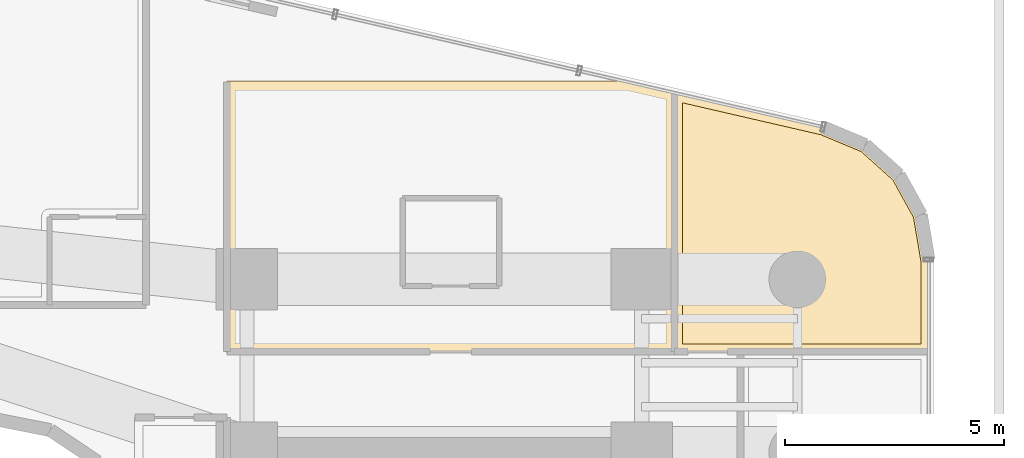
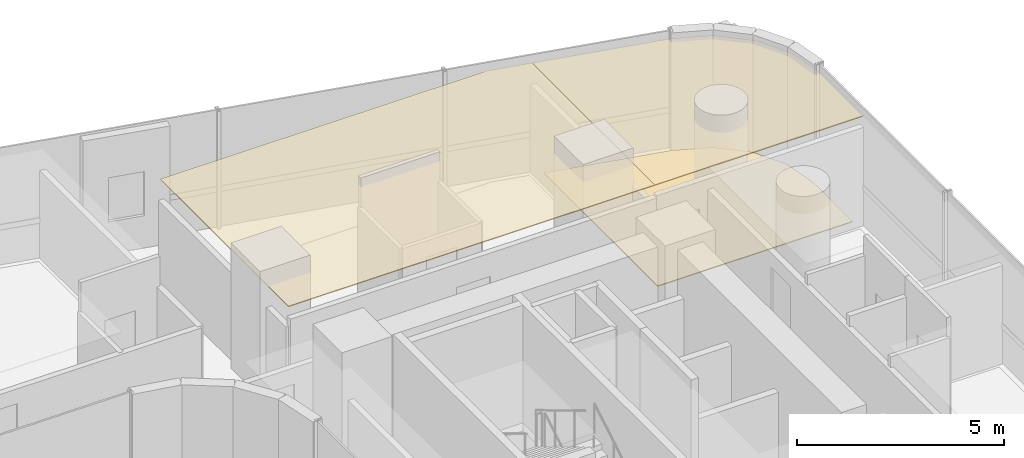
# One storey, part 50 of 50: 3 coverings.
"""IFC4 building model written with IfcOpenShell, lengths in metres."""

from ifc_helpers import new_model, si_unit, direction, frame, origin, place, context, subcontext, project, spatial, polyline, outline, extrude, material, layer, layer_set, type_object, element, save


model = new_model("IFC4")

# Units and contexts
model_context = context("Model", 3, precision=1e-05, world=origin(), true_north=direction((0.0, 1.0)))
body_context = subcontext(model_context, "Body", "Model", "MODEL_VIEW")
ifc_project = project(units=[si_unit("LENGTHUNIT", "METRE"), si_unit("AREAUNIT", "SQUARE_METRE"), si_unit("VOLUMEUNIT", "CUBIC_METRE"), si_unit("PLANEANGLEUNIT", "RADIAN"), si_unit("MASSUNIT", "GRAM", prefix="KILO")], contexts=[model_context])

# Site, building, storey
site_placement = place(None, origin())
site = spatial("IfcSite", under=ifc_project, at=site_placement, CompositionType="ELEMENT")
building_placement = place(site_placement, origin())
building = spatial("IfcBuilding", under=site, at=building_placement, Name="Valdorenza Pilgrim Sanctuary Tower", CompositionType="ELEMENT")
storey_placement = place(building_placement, frame((0.0, 0.0, 26.0)))
storey = spatial("IfcBuildingStorey", under=building, at=storey_placement, Name="L05", CompositionType="ELEMENT", Elevation=26.0)

# Coverings
ifc_material_1 = material(Name="Micro-perforated acoustic mineral ceiling tile", Category="gypsum")
ifc_layer_1 = layer(ifc_material_1, 0.02490234375, Name="Micro-perforated acoustic mineral ceiling tile")
ifc_layer_set_1 = layer_set([ifc_layer_1], Name="Micro-perforated acoustic mineral ceiling tile")
covering_type_1 = type_object("IfcCoveringType", Name="COV-CLG-ACU", PredefinedType="CEILING", material=ifc_layer_set_1)
covering_1_placement = place(storey_placement, frame((0.0, 0.0, 3.159912109375)))
element("IfcCovering", 1, at=covering_1_placement, inside=storey, type_object=covering_type_1, Name="L05 East North Guest Room L05-EN1 Acoustic Ceiling", PredefinedType="CEILING", context=body_context, shape_type="SweptSolid", body=[
    extrude(outline(polyline([(24.5107421875, 18.014892578125), (24.512451171875, 18.014892578125), (24.51416015625, 18.0146484375), (25.603515625, 17.76318359375), (25.604736328125, 17.762939453125), (25.606201171875, 17.76220703125), (25.607421875, 17.76171875), (25.608642578125, 17.760986328125), (25.609619140625, 17.760009765625), (25.61083984375, 17.759033203125), (25.61181640625, 17.758056640625), (25.612548828125, 17.7568359375), (25.61328125, 17.755615234375), (25.614013671875, 17.75439453125), (25.614501953125, 17.7529296875), (25.61474609375, 17.75146484375), (25.614990234375, 17.75), (25.614990234375, 17.74853515625), (25.614990234375, 11.85009765625), (25.614990234375, 11.848388671875), (25.61474609375, 11.84716796875), (25.614501953125, 11.845703125), (25.614013671875, 11.84423828125), (25.61328125, 11.843017578125), (25.612548828125, 11.841796875), (25.611572265625, 11.840576171875), (25.610595703125, 11.83935546875), (25.609619140625, 11.83837890625), (25.6083984375, 11.83740234375), (25.607177734375, 11.8369140625), (25.605712890625, 11.836181640625), (25.6044921875, 11.835693359375), (25.602783203125, 11.835205078125), (25.6015625, 11.835205078125), (25.60009765625, 11.8349609375), (15.39990234375, 11.8349609375), (15.3984375, 11.835205078125), (15.397216796875, 11.835205078125), (15.3955078125, 11.835693359375), (15.394287109375, 11.836181640625), (15.392822265625, 11.8369140625), (15.3916015625, 11.83740234375), (15.390380859375, 11.83837890625), (15.389404296875, 11.83935546875), (15.388427734375, 11.840576171875), (15.387451171875, 11.841796875), (15.38671875, 11.843017578125), (15.385986328125, 11.84423828125), (15.385498046875, 11.845703125), (15.38525390625, 11.84716796875), (15.385009765625, 11.848388671875), (15.385009765625, 11.85009765625), (15.385009765625, 18.0), (15.385009765625, 18.00146484375), (15.38525390625, 18.0029296875), (15.385498046875, 18.00439453125), (15.385986328125, 18.005615234375), (15.38671875, 18.007080078125), (15.387451171875, 18.00830078125), (15.388427734375, 18.009521484375), (15.389404296875, 18.010498046875), (15.390380859375, 18.01171875), (15.3916015625, 18.012451171875), (15.392822265625, 18.01318359375), (15.394287109375, 18.013916015625), (15.3955078125, 18.014404296875), (15.397216796875, 18.0146484375), (15.3984375, 18.014892578125), (15.39990234375, 18.014892578125), (24.5107421875, 18.014892578125)])), origin(), (0.0, 0.0, 1.0), 0.025146484375),
])
covering_2_placement = place(storey_placement, frame((0.0, 0.0, 3.159912109375)))
element("IfcCovering", 2, at=covering_2_placement, inside=storey, type_object=covering_type_1, Name="L05 East Wing Reference Library L05-BNE Acoustic Ceiling", PredefinedType="CEILING", context=body_context, shape_type="SweptSolid", body=[
    extrude(outline(polyline([(28.9892578125, 16.98193359375), (28.990478515625, 16.981689453125), (28.99169921875, 16.981201171875), (29.95361328125, 16.580322265625), (29.955078125, 16.57958984375), (29.95654296875, 16.57861328125), (29.9580078125, 16.57763671875), (30.72705078125, 15.88818359375), (30.728271484375, 15.886962890625), (30.729248046875, 15.8857421875), (30.72998046875, 15.88427734375), (31.22900390625, 14.97998046875), (31.2294921875, 14.978271484375), (31.230224609375, 14.976806640625), (31.230712890625, 14.97509765625), (31.40478515625, 13.947509765625), (31.40478515625, 13.9462890625), (31.405029296875, 13.945068359375), (31.405029296875, 11.85009765625), (31.40478515625, 11.848388671875), (31.40478515625, 11.84716796875), (31.404296875, 11.845703125), (31.40380859375, 11.84423828125), (31.4033203125, 11.843017578125), (31.402587890625, 11.841796875), (31.401611328125, 11.840576171875), (31.400634765625, 11.83935546875), (31.3994140625, 11.83837890625), (31.398193359375, 11.83740234375), (31.397216796875, 11.8369140625), (31.395751953125, 11.836181640625), (31.394287109375, 11.835693359375), (31.392822265625, 11.835205078125), (31.3916015625, 11.835205078125), (31.389892578125, 11.8349609375), (25.60205078125, 11.8349609375), (25.6005859375, 11.835205078125), (25.59912109375, 11.835205078125), (25.59765625, 11.835693359375), (25.59619140625, 11.836181640625), (25.594970703125, 11.8369140625), (25.59375, 11.83740234375), (25.592529296875, 11.83837890625), (25.59130859375, 11.83935546875), (25.59033203125, 11.840576171875), (25.589599609375, 11.841796875), (25.5888671875, 11.843017578125), (25.588134765625, 11.84423828125), (25.587646484375, 11.845703125), (25.58740234375, 11.84716796875), (25.587158203125, 11.848388671875), (25.5869140625, 11.85009765625), (25.5869140625, 17.748291015625), (25.587158203125, 17.749755859375), (25.58740234375, 17.751220703125), (25.587646484375, 17.752685546875), (25.588134765625, 17.75390625), (25.5888671875, 17.75537109375), (25.589599609375, 17.756591796875), (25.590576171875, 17.7578125), (25.591552734375, 17.7587890625), (25.5927734375, 17.760009765625), (25.593994140625, 17.7607421875), (25.59521484375, 17.761474609375), (25.596435546875, 17.76220703125), (25.597900390625, 17.7626953125), (25.599365234375, 17.762939453125), (25.600830078125, 17.76318359375), (25.602294921875, 17.76318359375), (25.60400390625, 17.76318359375), (25.60546875, 17.7626953125), (28.9892578125, 16.98193359375)])), origin(), (0.0, 0.0, 1.0), 0.025146484375),
])
ifc_material_2 = material(Name="Honed travertine stone flooring", Category="masonry")
ifc_layer_2 = layer(ifc_material_2, 0.030029296875, Name="Honed travertine stone flooring")
ifc_layer_set_2 = layer_set([ifc_layer_2], Name="Honed travertine stone flooring")
covering_type_2 = type_object("IfcCoveringType", Name="COV-FLR-TRV", PredefinedType="FLOORING", material=ifc_layer_set_2)
covering_3_placement = place(storey_placement, origin())
element("IfcCovering", 3, at=covering_3_placement, inside=storey, type_object=covering_type_2, Name="L05 East Wing Reference Library L05-BNE Flooring", PredefinedType="FLOORING", context=body_context, shape_type="SweptSolid", body=[
    extrude(outline(polyline([(28.9306640625, 16.79541015625), (29.8505859375, 16.412109375), (30.57421875, 15.763427734375), (31.04345703125, 14.912353515625), (31.2099609375, 13.929931640625), (31.2099609375, 12.030029296875), (25.781982421875, 12.030029296875), (25.781982421875, 17.52197265625), (28.9306640625, 16.79541015625)])), origin(), (0.0, 0.0, 1.0), 0.02490234375),
])

save(model, "model.ifc")
